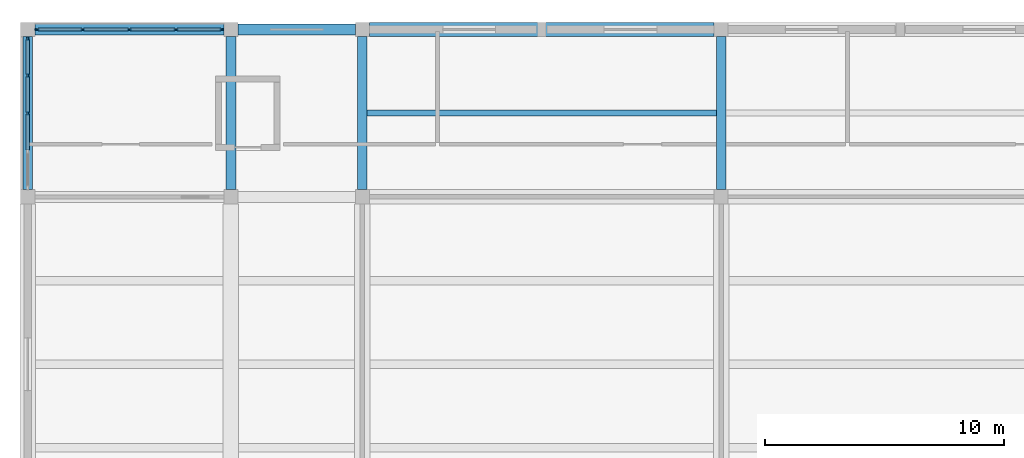
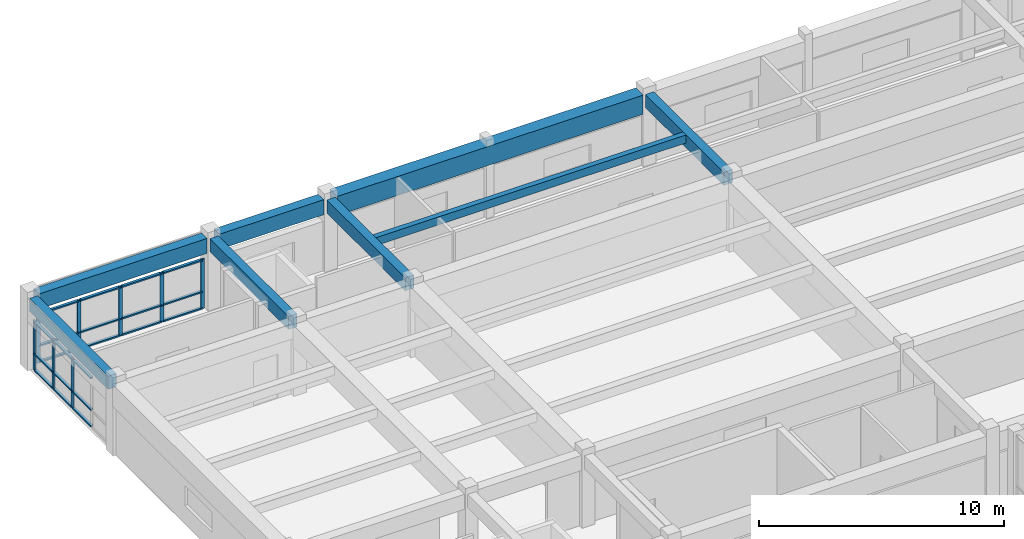
# One storey, part 28 of 66: 29 members, 8 beams, 2 elements without a shape of their own.
"""IFC4 building model written with IfcOpenShell, lengths in metres."""

from ifc_helpers import new_model, si_unit, direction, frame, origin, origin_2d, place, context, subcontext, project, spatial, rectangle, extrude, material, layer, layer_set, material_profile, profile_set, type_object, element, aggregate, save


model = new_model("IFC4")

# Units and contexts
model_context = context("Model", 3, precision=1e-05, world=origin(), true_north=direction((0.0, 1.0)))
body_context = subcontext(model_context, "Body", "Model", "MODEL_VIEW")
ifc_project = project(units=[si_unit("LENGTHUNIT", "METRE"), si_unit("AREAUNIT", "SQUARE_METRE"), si_unit("VOLUMEUNIT", "CUBIC_METRE"), si_unit("PLANEANGLEUNIT", "RADIAN"), si_unit("MASSUNIT", "GRAM", prefix="KILO")], contexts=[model_context])

# Site, building, storey
site_placement = place(None, origin())
site = spatial("IfcSite", under=ifc_project, at=site_placement, CompositionType="ELEMENT")
building_placement = place(site_placement, origin())
building = spatial("IfcBuilding", under=site, at=building_placement, Name="Naurynzar Civic Courthouse", CompositionType="ELEMENT")
storey_placement = place(building_placement, frame((0.0, 0.0, 14.39990234375)))
storey = spatial("IfcBuildingStorey", under=building, at=storey_placement, Name="L04", CompositionType="ELEMENT", Elevation=14.39990234375)

# Beams
ifc_material_1 = material(Name="Concrete C40/50", Category="concrete")
ifc_material_profile_1 = material_profile(ifc_material_1, rectangle(XDim=0.449951171875, YDim=0.75, at=origin_2d()), Name="RCF 450x750")
ifc_profile_set_1 = profile_set([ifc_material_profile_1], Name="Concrete C40/50")
beam_type_1 = type_object("IfcBeamType", Name="BM-FLD-450x750", PredefinedType="BEAM", material=ifc_profile_set_1)
beam_1_placement = place(storey_placement, frame((6.300048828125, 72.0, 3.205078125), z_axis=(1.0, 0.0, 0.0), x_axis=(0.0, 1.0, 0.0)))
element("IfcBeam", 1, at=beam_1_placement, inside=storey, type_object=beam_type_1, Name="V1 beam X-237 L04", PredefinedType="BEAM", context=body_context, shape_type="SweptSolid", body=[
    extrude(rectangle(XDim=0.449951171875, YDim=0.75, at=origin_2d()), origin(), (0.0, 0.0, 1.0), 7.89990234375),
])
beam_2_placement = place(storey_placement, frame((14.800048828125, 72.0, 3.205078125), z_axis=(1.0, 0.0, 0.0), x_axis=(0.0, 1.0, 0.0)))
element("IfcBeam", 2, at=beam_2_placement, inside=storey, type_object=beam_type_1, Name="V1 beam X-238 L04", PredefinedType="BEAM", context=body_context, shape_type="SweptSolid", body=[
    extrude(rectangle(XDim=0.449951171875, YDim=0.75, at=origin_2d()), origin(), (0.0, 0.0, 1.0), 4.89990234375),
])
ifc_material_2 = material(Name="Concrete C40/50", Category="concrete")
ifc_material_profile_2 = material_profile(ifc_material_2, rectangle(XDim=0.25, YDim=0.39990234375, at=origin_2d()), Name="RCB 250x400")
ifc_profile_set_2 = profile_set([ifc_material_profile_2], Name="Concrete C40/50")
beam_type_2 = type_object("IfcBeamType", Name="BM-JST-250x400", PredefinedType="JOIST", material=ifc_profile_set_2)
beam_3_placement = place(storey_placement, frame((20.199951171875, 68.5, 3.380126953125), z_axis=(1.0, 0.0, 0.0), x_axis=(0.0, 1.0, 0.0)))
element("IfcBeam", 3, at=beam_3_placement, inside=storey, type_object=beam_type_2, Name="V1 secondary rib 276 L04", PredefinedType="JOIST", context=body_context, shape_type="SweptSolid", body=[
    extrude(rectangle(XDim=0.25, YDim=0.39990234375, at=origin_2d()), origin(), (0.0, 0.0, 1.0), 14.60009765625),
])
ifc_material_3 = material(Name="Concrete C40/50", Category="concrete")
ifc_material_profile_3 = material_profile(ifc_material_3, rectangle(XDim=0.60009765625, YDim=0.949951171875, at=origin_2d()), Name="PTB 600x950")
ifc_profile_set_3 = profile_set([ifc_material_profile_3], Name="Concrete C40/50")
beam_type_3 = type_object("IfcBeamType", Name="BM-PT-600x950", PredefinedType="T_BEAM", material=ifc_profile_set_3)
beam_4_placement = place(storey_placement, frame((20.300048828125, 72.0, 3.10498046875), z_axis=(1.0, 0.0, 0.0), x_axis=(0.0, 1.0, 0.0)))
element("IfcBeam", 4, at=beam_4_placement, inside=storey, type_object=beam_type_3, Name="V1 beam X-239 L04", PredefinedType="T_BEAM", context=body_context, shape_type="SweptSolid", body=[
    extrude(rectangle(XDim=0.60009765625, YDim=0.949951171875, at=origin_2d()), origin(), (0.0, 0.0, 1.0), 14.39990234375),
])
ifc_material_4 = material(Name="Concrete C40/50", Category="concrete")
ifc_material_profile_4 = material_profile(ifc_material_4, rectangle(XDim=0.39990234375, YDim=0.64990234375, at=origin_2d()), Name="RCB 400x650")
ifc_profile_set_4 = profile_set([ifc_material_profile_4], Name="Concrete C40/50")
beam_type_4 = type_object("IfcBeamType", Name="BM-RC-400x650", PredefinedType="BEAM", material=ifc_profile_set_4)
for number, where, z_axis, x_axis, name in (
    (5, (6.0, 65.300048828125, 3.255126953125), (0.0, 1.0, 0.0), (-1.0, 0.0, 0.0), "V1 girder Y-244 L04"),
    (6, (14.5, 65.300048828125, 3.255126953125), (0.0, 1.0, 0.0), (-1.0, 0.0, 0.0), "V1 girder Y-247 L04"),
    (7, (20.0, 65.300048828125, 3.255126953125), (0.0, 1.0, 0.0), (-1.0, 0.0, 0.0), "V1 girder Y-250 L04"),
    (8, (35.0, 65.300048828125, 3.255126953125), (0.0, 1.0, 0.0), (-1.0, 0.0, 0.0), "V1 girder Y-253 L04"),
):
    element("IfcBeam", number, at=place(storey_placement, frame(where, z_axis=z_axis, x_axis=x_axis)), inside=storey, type_object=beam_type_4, Name=name, PredefinedType="BEAM", context=body_context, shape_type="SweptSolid", body=[
        extrude(rectangle(XDim=0.39990234375, YDim=0.64990234375, at=origin_2d()), origin(), (0.0, 0.0, 1.0), 6.39990234375),
    ])

# Curtain wall, members
ifc_material_5 = material(Name="Aluminium 6063-T6", Category="aluminium")
ifc_layer = layer(ifc_material_5, 0.159912109375)
ifc_layer_set = layer_set([ifc_layer], Name="CW-UNIT-1800")
curtain_wall_type = type_object("IfcCurtainWallType", Name="CW-UNIT-1800", PredefinedType="NOTDEFINED", material=ifc_layer_set)
curtain_wall_1_placement = place(storey_placement, origin())
curtain_wall_1 = element("IfcCurtainWall", 9, at=curtain_wall_1_placement, inside=storey, type_object=curtain_wall_type, Name="V1 unitised curtain wall 14 L04", PredefinedType="NOTDEFINED")
ifc_material_6 = material(Name="Aluminium 6063-T6", Category="aluminium")
ifc_material_profile_5 = material_profile(ifc_material_6, rectangle(XDim=0.070068359375, YDim=0.179931640625, at=origin_2d()), Name="ALU MULLION 70x180")
ifc_profile_set_5 = profile_set([ifc_material_profile_5], Name="Aluminium 6063-T6")
member_type_1 = type_object("IfcMemberType", Name="CWM-70x180", PredefinedType="MULLION", material=ifc_profile_set_5)
member_1_placement = place(storey_placement, frame((6.0, 68.5, 0.0), z_axis=(0.0, 0.0, 1.0), x_axis=(-1.0, 0.0, 0.0)))
member_1 = element("IfcMember", 10, at=member_1_placement, type_object=member_type_1, Name="CW-02 mullion 3", PredefinedType="MULLION", context=body_context, shape_type="SweptSolid", body=[
    extrude(rectangle(XDim=0.070068359375, YDim=0.179931640625, at=origin_2d()), origin(), (0.0, 0.0, 1.0), 2.460205078125),
])
member_2_placement = place(storey_placement, frame((6.0, 70.074951171875, 0.0), z_axis=(0.0, 0.0, 1.0), x_axis=(-1.0, 0.0, 0.0)))
member_2 = element("IfcMember", 11, at=member_2_placement, type_object=member_type_1, Name="CW-02 mullion 4", PredefinedType="MULLION", context=body_context, shape_type="SweptSolid", body=[
    extrude(rectangle(XDim=0.070068359375, YDim=0.179931640625, at=origin_2d()), origin(), (0.0, 0.0, 1.0), 2.460205078125),
])
member_3_placement = place(storey_placement, frame((6.0, 71.614990234375, 0.0), z_axis=(0.0, 0.0, 1.0), x_axis=(-1.0, 0.0, 0.0)))
member_3 = element("IfcMember", 12, at=member_3_placement, type_object=member_type_1, Name="CW-02 mullion 5", PredefinedType="MULLION", context=body_context, shape_type="SweptSolid", body=[
    extrude(rectangle(XDim=0.070068359375, YDim=0.179931640625, at=origin_2d()), origin(), (0.0, 0.0, 1.0), 2.460205078125),
])

curtain_wall_2_placement = place(storey_placement, origin())
curtain_wall_2 = element("IfcCurtainWall", 13, at=curtain_wall_2_placement, inside=storey, type_object=curtain_wall_type, Name="V1 unitised curtain wall 15 L04", PredefinedType="NOTDEFINED")
member_4_placement = place(storey_placement, frame((6.385009765625, 72.0, 0.0), z_axis=(0.0, 0.0, 1.0), x_axis=(0.0, 1.0, 0.0)))
member_4 = element("IfcMember", 14, at=member_4_placement, type_object=member_type_1, Name="CW-02 mullion 1", PredefinedType="MULLION", context=body_context, shape_type="SweptSolid", body=[
    extrude(rectangle(XDim=0.070068359375, YDim=0.179931640625, at=origin_2d()), origin(), (0.0, 0.0, 1.0), 2.460205078125),
])
member_5_placement = place(storey_placement, frame((8.300048828125, 72.0, 0.0), z_axis=(0.0, 0.0, 1.0), x_axis=(0.0, 1.0, 0.0)))
member_5 = element("IfcMember", 15, at=member_5_placement, type_object=member_type_1, Name="CW-02 mullion 2", PredefinedType="MULLION", context=body_context, shape_type="SweptSolid", body=[
    extrude(rectangle(XDim=0.070068359375, YDim=0.179931640625, at=origin_2d()), origin(), (0.0, 0.0, 1.0), 2.460205078125),
])
member_6_placement = place(storey_placement, frame((10.25, 72.0, 0.0), z_axis=(0.0, 0.0, 1.0), x_axis=(0.0, 1.0, 0.0)))
member_6 = element("IfcMember", 16, at=member_6_placement, type_object=member_type_1, Name="CW-02 mullion 3", PredefinedType="MULLION", context=body_context, shape_type="SweptSolid", body=[
    extrude(rectangle(XDim=0.070068359375, YDim=0.179931640625, at=origin_2d()), origin(), (0.0, 0.0, 1.0), 2.460205078125),
])
member_7_placement = place(storey_placement, frame((12.199951171875, 72.0, 0.0), z_axis=(0.0, 0.0, 1.0), x_axis=(0.0, 1.0, 0.0)))
member_7 = element("IfcMember", 17, at=member_7_placement, type_object=member_type_1, Name="CW-02 mullion 4", PredefinedType="MULLION", context=body_context, shape_type="SweptSolid", body=[
    extrude(rectangle(XDim=0.070068359375, YDim=0.179931640625, at=origin_2d()), origin(), (0.0, 0.0, 1.0), 2.460205078125),
])
member_8_placement = place(storey_placement, frame((14.114990234375, 72.0, 0.0), z_axis=(0.0, 0.0, 1.0), x_axis=(0.0, 1.0, 0.0)))
member_8 = element("IfcMember", 18, at=member_8_placement, type_object=member_type_1, Name="CW-02 mullion 5", PredefinedType="MULLION", context=body_context, shape_type="SweptSolid", body=[
    extrude(rectangle(XDim=0.070068359375, YDim=0.179931640625, at=origin_2d()), origin(), (0.0, 0.0, 1.0), 2.460205078125),
])

# Member
ifc_material_7 = material(Name="Aluminium 6063-T6", Category="aluminium")
ifc_material_profile_6 = material_profile(ifc_material_7, rectangle(XDim=0.1298828125, YDim=0.070068359375, at=origin_2d()), Name="ALU TRANSOM 70x130")
ifc_profile_set_6 = profile_set([ifc_material_profile_6], Name="Aluminium 6063-T6")
member_type_2 = type_object("IfcMemberType", Name="CWT-70x130", PredefinedType="USERDEFINED", material=ifc_profile_set_6)
member_9_placement = place(storey_placement, frame((6.0, 66.9599609375, 0.03515625), z_axis=(0.0, 1.0, 0.0), x_axis=(-1.0, 0.0, 0.0)))
member_9 = element("IfcMember", 19, at=member_9_placement, type_object=member_type_2, Name="CW-02 transom 2.1", ObjectType="TRANSOM", PredefinedType="USERDEFINED", context=body_context, shape_type="SweptSolid", body=[
    extrude(rectangle(XDim=0.1298828125, YDim=0.070068359375, at=origin_2d()), origin(), (0.0, 0.0, 1.0), 1.505126953125),
])

member_10_placement = place(storey_placement, frame((6.0, 66.9599609375, 0.85009765625), z_axis=(0.0, 1.0, 0.0), x_axis=(-1.0, 0.0, 0.0)))
member_10 = element("IfcMember", 20, at=member_10_placement, type_object=member_type_2, Name="CW-02 transom 2.2", ObjectType="TRANSOM", PredefinedType="USERDEFINED", context=body_context, shape_type="SweptSolid", body=[
    extrude(rectangle(XDim=0.1298828125, YDim=0.070068359375, at=origin_2d()), origin(), (0.0, 0.0, 1.0), 1.505126953125),
])

member_11_placement = place(storey_placement, frame((6.0, 66.9599609375, 2.425048828125), z_axis=(0.0, 1.0, 0.0), x_axis=(-1.0, 0.0, 0.0)))
member_11 = element("IfcMember", 21, at=member_11_placement, type_object=member_type_2, Name="CW-02 transom 2.3", ObjectType="TRANSOM", PredefinedType="USERDEFINED", context=body_context, shape_type="SweptSolid", body=[
    extrude(rectangle(XDim=0.1298828125, YDim=0.070068359375, at=origin_2d()), origin(), (0.0, 0.0, 1.0), 1.505126953125),
])

member_12_placement = place(storey_placement, frame((6.0, 68.534912109375, 0.03515625), z_axis=(0.0, 1.0, 0.0), x_axis=(-1.0, 0.0, 0.0)))
member_12 = element("IfcMember", 22, at=member_12_placement, type_object=member_type_2, Name="CW-02 transom 3.1", ObjectType="TRANSOM", PredefinedType="USERDEFINED", context=body_context, shape_type="SweptSolid", body=[
    extrude(rectangle(XDim=0.1298828125, YDim=0.070068359375, at=origin_2d()), origin(), (0.0, 0.0, 1.0), 1.505126953125),
])

member_13_placement = place(storey_placement, frame((6.0, 68.534912109375, 0.85009765625), z_axis=(0.0, 1.0, 0.0), x_axis=(-1.0, 0.0, 0.0)))
member_13 = element("IfcMember", 23, at=member_13_placement, type_object=member_type_2, Name="CW-02 transom 3.2", ObjectType="TRANSOM", PredefinedType="USERDEFINED", context=body_context, shape_type="SweptSolid", body=[
    extrude(rectangle(XDim=0.1298828125, YDim=0.070068359375, at=origin_2d()), origin(), (0.0, 0.0, 1.0), 1.505126953125),
])

member_14_placement = place(storey_placement, frame((6.0, 68.534912109375, 2.425048828125), z_axis=(0.0, 1.0, 0.0), x_axis=(-1.0, 0.0, 0.0)))
member_14 = element("IfcMember", 24, at=member_14_placement, type_object=member_type_2, Name="CW-02 transom 3.3", ObjectType="TRANSOM", PredefinedType="USERDEFINED", context=body_context, shape_type="SweptSolid", body=[
    extrude(rectangle(XDim=0.1298828125, YDim=0.070068359375, at=origin_2d()), origin(), (0.0, 0.0, 1.0), 1.505126953125),
])

member_15_placement = place(storey_placement, frame((6.0, 70.110107421875, 0.03515625), z_axis=(0.0, 1.0, 0.0), x_axis=(-1.0, 0.0, 0.0)))
member_15 = element("IfcMember", 25, at=member_15_placement, type_object=member_type_2, Name="CW-02 transom 4.1", ObjectType="TRANSOM", PredefinedType="USERDEFINED", context=body_context, shape_type="SweptSolid", body=[
    extrude(rectangle(XDim=0.1298828125, YDim=0.070068359375, at=origin_2d()), origin(), (0.0, 0.0, 1.0), 1.469970703125),
])

member_16_placement = place(storey_placement, frame((6.0, 70.110107421875, 0.85009765625), z_axis=(0.0, 1.0, 0.0), x_axis=(-1.0, 0.0, 0.0)))
member_16 = element("IfcMember", 26, at=member_16_placement, type_object=member_type_2, Name="CW-02 transom 4.2", ObjectType="TRANSOM", PredefinedType="USERDEFINED", context=body_context, shape_type="SweptSolid", body=[
    extrude(rectangle(XDim=0.1298828125, YDim=0.070068359375, at=origin_2d()), origin(), (0.0, 0.0, 1.0), 1.469970703125),
])

member_17_placement = place(storey_placement, frame((6.0, 70.110107421875, 2.425048828125), z_axis=(0.0, 1.0, 0.0), x_axis=(-1.0, 0.0, 0.0)))
member_17 = element("IfcMember", 27, at=member_17_placement, type_object=member_type_2, Name="CW-02 transom 4.3", ObjectType="TRANSOM", PredefinedType="USERDEFINED", context=body_context, shape_type="SweptSolid", body=[
    extrude(rectangle(XDim=0.1298828125, YDim=0.070068359375, at=origin_2d()), origin(), (0.0, 0.0, 1.0), 1.469970703125),
])

aggregate(curtain_wall_1, [member_1, member_2, member_3, member_9, member_10, member_11, member_12, member_13, member_14, member_15, member_16, member_17])

member_18_placement = place(storey_placement, frame((6.419921875, 72.0, 0.03515625), z_axis=(1.0, 0.0, 0.0), x_axis=(0.0, 1.0, 0.0)))
member_18 = element("IfcMember", 28, at=member_18_placement, type_object=member_type_2, Name="CW-02 transom 1.1", ObjectType="TRANSOM", PredefinedType="USERDEFINED", context=body_context, shape_type="SweptSolid", body=[
    extrude(rectangle(XDim=0.1298828125, YDim=0.070068359375, at=origin_2d()), origin(), (0.0, 0.0, 1.0), 1.844970703125),
])

member_19_placement = place(storey_placement, frame((6.419921875, 72.0, 0.85009765625), z_axis=(1.0, 0.0, 0.0), x_axis=(0.0, 1.0, 0.0)))
member_19 = element("IfcMember", 29, at=member_19_placement, type_object=member_type_2, Name="CW-02 transom 1.2", ObjectType="TRANSOM", PredefinedType="USERDEFINED", context=body_context, shape_type="SweptSolid", body=[
    extrude(rectangle(XDim=0.1298828125, YDim=0.070068359375, at=origin_2d()), origin(), (0.0, 0.0, 1.0), 1.844970703125),
])

member_20_placement = place(storey_placement, frame((6.419921875, 72.0, 2.425048828125), z_axis=(1.0, 0.0, 0.0), x_axis=(0.0, 1.0, 0.0)))
member_20 = element("IfcMember", 30, at=member_20_placement, type_object=member_type_2, Name="CW-02 transom 1.3", ObjectType="TRANSOM", PredefinedType="USERDEFINED", context=body_context, shape_type="SweptSolid", body=[
    extrude(rectangle(XDim=0.1298828125, YDim=0.070068359375, at=origin_2d()), origin(), (0.0, 0.0, 1.0), 1.844970703125),
])

member_21_placement = place(storey_placement, frame((8.3349609375, 72.0, 0.03515625), z_axis=(1.0, 0.0, 0.0), x_axis=(0.0, 1.0, 0.0)))
member_21 = element("IfcMember", 31, at=member_21_placement, type_object=member_type_2, Name="CW-02 transom 2.1", ObjectType="TRANSOM", PredefinedType="USERDEFINED", context=body_context, shape_type="SweptSolid", body=[
    extrude(rectangle(XDim=0.1298828125, YDim=0.070068359375, at=origin_2d()), origin(), (0.0, 0.0, 1.0), 1.880126953125),
])

member_22_placement = place(storey_placement, frame((8.3349609375, 72.0, 0.85009765625), z_axis=(1.0, 0.0, 0.0), x_axis=(0.0, 1.0, 0.0)))
member_22 = element("IfcMember", 32, at=member_22_placement, type_object=member_type_2, Name="CW-02 transom 2.2", ObjectType="TRANSOM", PredefinedType="USERDEFINED", context=body_context, shape_type="SweptSolid", body=[
    extrude(rectangle(XDim=0.1298828125, YDim=0.070068359375, at=origin_2d()), origin(), (0.0, 0.0, 1.0), 1.880126953125),
])

member_23_placement = place(storey_placement, frame((8.3349609375, 72.0, 2.425048828125), z_axis=(1.0, 0.0, 0.0), x_axis=(0.0, 1.0, 0.0)))
member_23 = element("IfcMember", 33, at=member_23_placement, type_object=member_type_2, Name="CW-02 transom 2.3", ObjectType="TRANSOM", PredefinedType="USERDEFINED", context=body_context, shape_type="SweptSolid", body=[
    extrude(rectangle(XDim=0.1298828125, YDim=0.070068359375, at=origin_2d()), origin(), (0.0, 0.0, 1.0), 1.880126953125),
])

member_24_placement = place(storey_placement, frame((10.284912109375, 72.0, 0.03515625), z_axis=(1.0, 0.0, 0.0), x_axis=(0.0, 1.0, 0.0)))
member_24 = element("IfcMember", 34, at=member_24_placement, type_object=member_type_2, Name="CW-02 transom 3.1", ObjectType="TRANSOM", PredefinedType="USERDEFINED", context=body_context, shape_type="SweptSolid", body=[
    extrude(rectangle(XDim=0.1298828125, YDim=0.070068359375, at=origin_2d()), origin(), (0.0, 0.0, 1.0), 1.880126953125),
])

member_25_placement = place(storey_placement, frame((10.284912109375, 72.0, 0.85009765625), z_axis=(1.0, 0.0, 0.0), x_axis=(0.0, 1.0, 0.0)))
member_25 = element("IfcMember", 35, at=member_25_placement, type_object=member_type_2, Name="CW-02 transom 3.2", ObjectType="TRANSOM", PredefinedType="USERDEFINED", context=body_context, shape_type="SweptSolid", body=[
    extrude(rectangle(XDim=0.1298828125, YDim=0.070068359375, at=origin_2d()), origin(), (0.0, 0.0, 1.0), 1.880126953125),
])

member_26_placement = place(storey_placement, frame((10.284912109375, 72.0, 2.425048828125), z_axis=(1.0, 0.0, 0.0), x_axis=(0.0, 1.0, 0.0)))
member_26 = element("IfcMember", 36, at=member_26_placement, type_object=member_type_2, Name="CW-02 transom 3.3", ObjectType="TRANSOM", PredefinedType="USERDEFINED", context=body_context, shape_type="SweptSolid", body=[
    extrude(rectangle(XDim=0.1298828125, YDim=0.070068359375, at=origin_2d()), origin(), (0.0, 0.0, 1.0), 1.880126953125),
])

member_27_placement = place(storey_placement, frame((12.235107421875, 72.0, 0.03515625), z_axis=(1.0, 0.0, 0.0), x_axis=(0.0, 1.0, 0.0)))
member_27 = element("IfcMember", 37, at=member_27_placement, type_object=member_type_2, Name="CW-02 transom 4.1", ObjectType="TRANSOM", PredefinedType="USERDEFINED", context=body_context, shape_type="SweptSolid", body=[
    extrude(rectangle(XDim=0.1298828125, YDim=0.070068359375, at=origin_2d()), origin(), (0.0, 0.0, 1.0), 1.844970703125),
])

member_28_placement = place(storey_placement, frame((12.235107421875, 72.0, 0.85009765625), z_axis=(1.0, 0.0, 0.0), x_axis=(0.0, 1.0, 0.0)))
member_28 = element("IfcMember", 38, at=member_28_placement, type_object=member_type_2, Name="CW-02 transom 4.2", ObjectType="TRANSOM", PredefinedType="USERDEFINED", context=body_context, shape_type="SweptSolid", body=[
    extrude(rectangle(XDim=0.1298828125, YDim=0.070068359375, at=origin_2d()), origin(), (0.0, 0.0, 1.0), 1.844970703125),
])

member_29_placement = place(storey_placement, frame((12.235107421875, 72.0, 2.425048828125), z_axis=(1.0, 0.0, 0.0), x_axis=(0.0, 1.0, 0.0)))
member_29 = element("IfcMember", 39, at=member_29_placement, type_object=member_type_2, Name="CW-02 transom 4.3", ObjectType="TRANSOM", PredefinedType="USERDEFINED", context=body_context, shape_type="SweptSolid", body=[
    extrude(rectangle(XDim=0.1298828125, YDim=0.070068359375, at=origin_2d()), origin(), (0.0, 0.0, 1.0), 1.844970703125),
])

aggregate(curtain_wall_2, [member_4, member_5, member_6, member_7, member_8, member_18, member_19, member_20, member_21, member_22, member_23, member_24, member_25, member_26, member_27, member_28, member_29])

save(model, "model.ifc")
